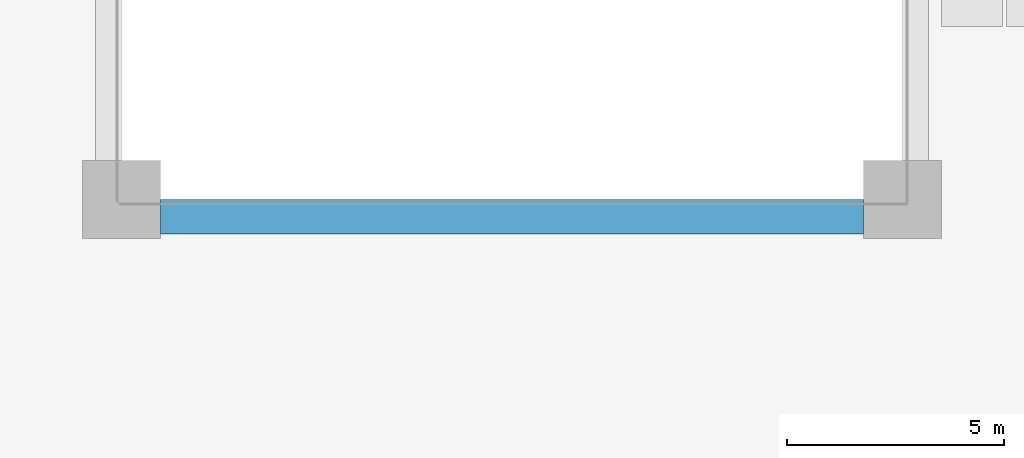
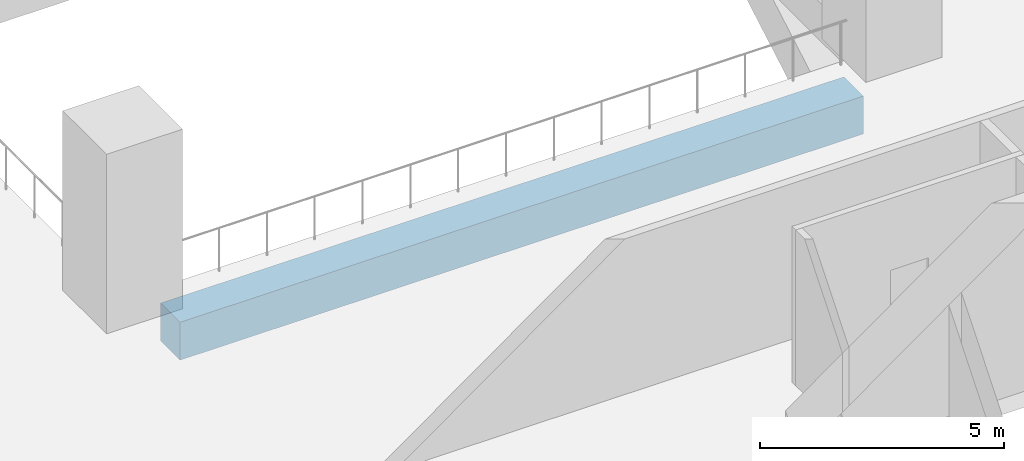
# One storey, part 3 of 19: 1 beam.
"""IFC4 building model written with IfcOpenShell, lengths in metres."""

from ifc_helpers import new_model, si_unit, direction, frame, origin, origin_2d, place, context, subcontext, project, spatial, rectangle, extrude, material, material_profile, profile_set, type_object, element, save


model = new_model("IFC4")

# Units and contexts
model_context = context("Model", 3, precision=1e-05, world=origin(), true_north=direction((0.0, 1.0)))
body_context = subcontext(model_context, "Body", "Model", "MODEL_VIEW")
ifc_project = project(units=[si_unit("LENGTHUNIT", "METRE"), si_unit("AREAUNIT", "SQUARE_METRE"), si_unit("VOLUMEUNIT", "CUBIC_METRE"), si_unit("PLANEANGLEUNIT", "RADIAN"), si_unit("MASSUNIT", "GRAM", prefix="KILO")], contexts=[model_context])

# Site, building, storey
site_placement = place(None, origin())
site = spatial("IfcSite", under=ifc_project, at=site_placement, CompositionType="ELEMENT")
building_placement = place(site_placement, origin())
building = spatial("IfcBuilding", under=site, at=building_placement, Name="Brigalow Station Residences", CompositionType="ELEMENT")
storey_placement = place(building_placement, frame((0.0, 0.0, 11.0)))
storey = spatial("IfcBuildingStorey", under=building, at=storey_placement, Name="L02", CompositionType="ELEMENT", Elevation=11.0)

# Beam
ifc_material = material(Name="Concrete C65", Category="concrete")
ifc_material_profile = material_profile(ifc_material, rectangle(XDim=0.800048828125, YDim=0.949951171875, at=origin_2d()), Name="RC800x950")
ifc_profile_set = profile_set([ifc_material_profile], Name="Concrete C65")
beam_type = type_object("IfcBeamType", Name="ATRIUM EDGE GIRDER OVER 13.5 M SPAN 800x950 C65", PredefinedType="BEAM", material=ifc_profile_set)
beam_placement = place(storey_placement, frame((27.89990234375, 23.60009765625, -0.876953125), z_axis=(1.0, 0.0, 0.0), x_axis=(0.0, 1.0, 0.0)))
element("IfcBeam", 1, at=beam_placement, inside=storey, type_object=beam_type, Name="ATRIUM EDGE GIRDER C L02", PredefinedType="BEAM", context=body_context, shape_type="SweptSolid", body=[
    extrude(rectangle(XDim=0.800048828125, YDim=0.949951171875, at=origin_2d()), origin(), (0.0, 0.0, 1.0), 16.2001953125),
])

save(model, "model.ifc")
